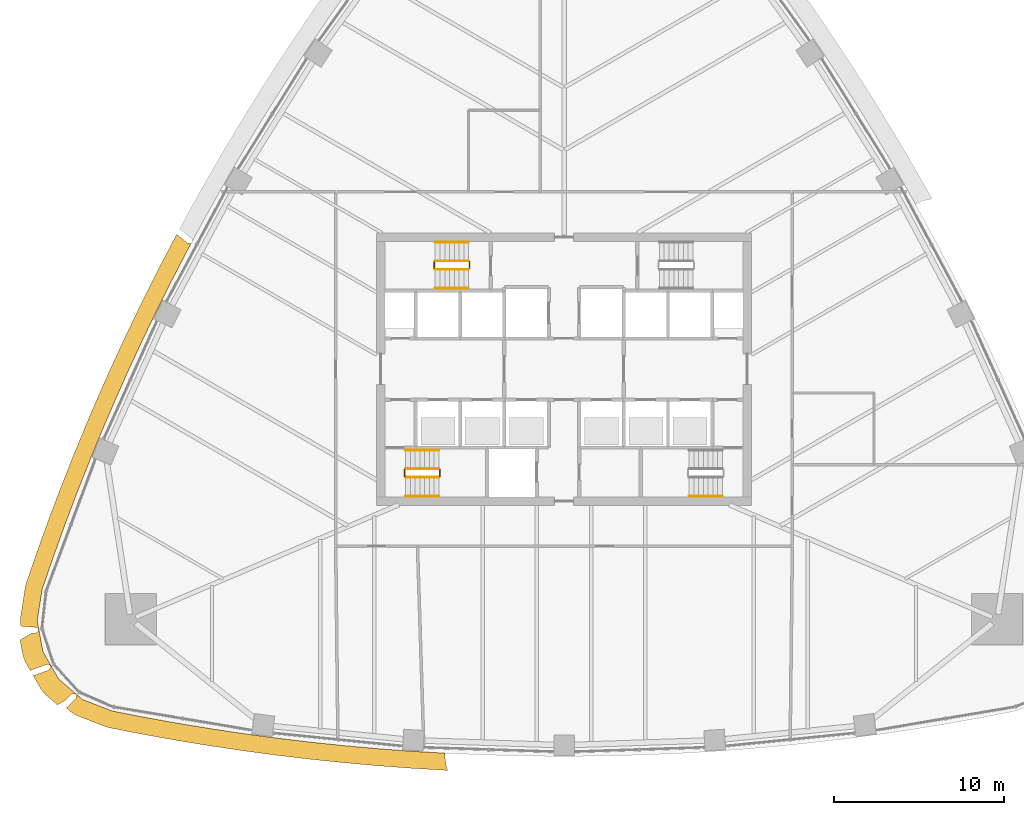
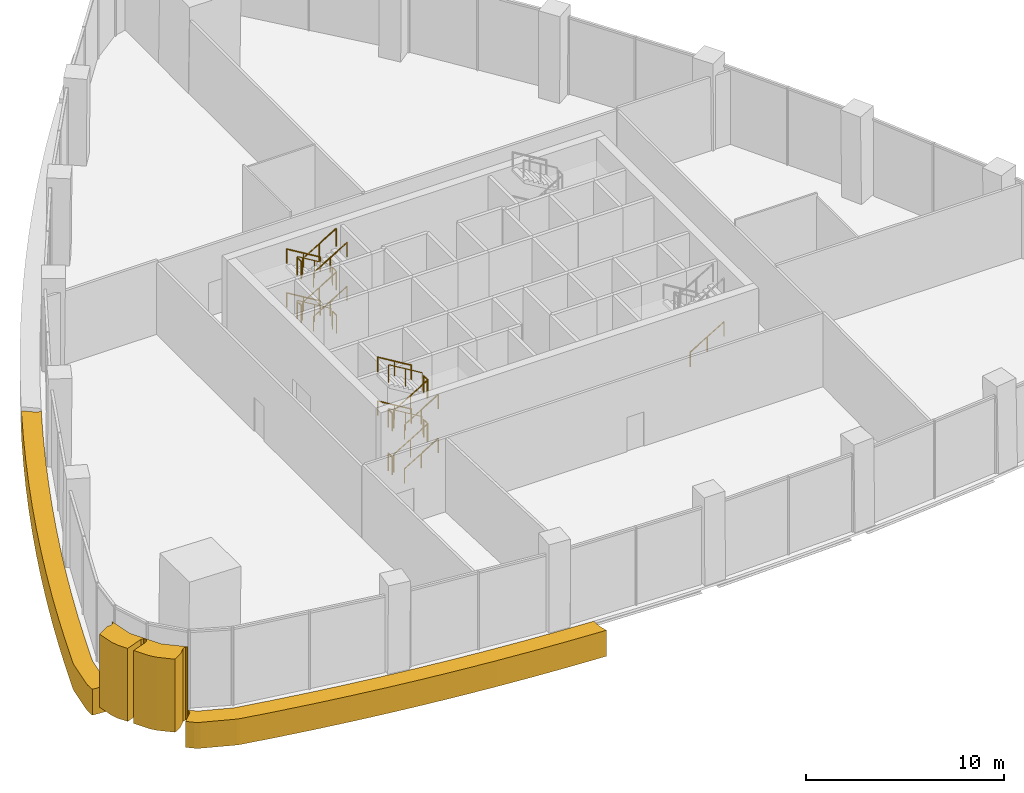
# One storey, part 13 of 16: 25 railings, 3 coverings.
"""IFC4 building model written with IfcOpenShell, lengths in metres."""

from ifc_helpers import new_model, si_unit, direction, frame, origin, origin_2d, place, context, subcontext, project, spatial, polyline, circle, outline, extrude, material, layer, layer_set, type_object, element, save


model = new_model("IFC4")

# Units and contexts
model_context = context("Model", 3, precision=1e-05, world=origin(), true_north=direction((0.0, 1.0)))
body_context = subcontext(model_context, "Body", "Model", "MODEL_VIEW")
ifc_project = project(units=[si_unit("LENGTHUNIT", "METRE"), si_unit("AREAUNIT", "SQUARE_METRE"), si_unit("VOLUMEUNIT", "CUBIC_METRE"), si_unit("PLANEANGLEUNIT", "RADIAN"), si_unit("MASSUNIT", "GRAM", prefix="KILO")], contexts=[model_context])

# Site, building, storey
site_placement = place(None, origin())
site = spatial("IfcSite", under=ifc_project, at=site_placement, CompositionType="ELEMENT")
building_placement = place(site_placement, origin())
building = spatial("IfcBuilding", under=site, at=building_placement, Name="Sierra Prisma Convention Tower", CompositionType="ELEMENT")
storey_placement = place(building_placement, frame((0.0, 0.0, 107.199951171875)))
storey = spatial("IfcBuildingStorey", under=building, at=storey_placement, Name="L23", CompositionType="ELEMENT", Elevation=107.199951171875)

# Coverings
ifc_material_1 = material(Name="Aluminium composite bronze anodised", Category="aluminium")
ifc_layer_1 = layer(ifc_material_1, 1.199951171875)
ifc_layer_set_1 = layer_set([ifc_layer_1], Name="Bronze corner pier")
covering_type_1 = type_object("IfcCoveringType", Name="Bronze corner pier", PredefinedType="CLADDING", material=ifc_layer_set_1)
covering_1_placement = place(storey_placement, frame((0.0, 0.0, -0.599853515625)))
element("IfcCovering", 1, at=covering_1_placement, inside=storey, type_object=covering_type_1, Name="Corner pier SW L23.1", PredefinedType="CLADDING", context=body_context, shape_type="SweptSolid", body=[
    extrude(outline(polyline([(-28.62744140625, -19.068359375), (-28.668212890625, -19.092041015625), (-28.716552734375, -19.05078125), (-28.72021484375, -19.047607421875), (-28.724365234375, -19.045166015625), (-28.728759765625, -19.04296875), (-28.7333984375, -19.041259765625), (-28.738037109375, -19.039794921875), (-28.742919921875, -19.0390625), (-28.74755859375, -19.038818359375), (-28.75244140625, -19.038818359375), (-28.75732421875, -19.039306640625), (-28.761962890625, -19.040283203125), (-28.8896484375, -19.07470703125), (-28.89453125, -19.076416015625), (-28.899169921875, -19.078369140625), (-28.903564453125, -19.080810546875), (-28.90771484375, -19.083984375), (-28.91162109375, -19.08740234375), (-29.272216796875, -19.440673828125), (-29.729248046875, -19.70458984375), (-30.434814453125, -19.10009765625), (-30.693359375, -18.788818359375), (-31.153076171875, -17.9921875), (-30.248779296875, -17.6630859375), (-30.24462890625, -17.661376953125), (-30.240478515625, -17.6591796875), (-30.236572265625, -17.65673828125), (-30.23291015625, -17.65380859375), (-30.229736328125, -17.650634765625), (-30.2265625, -17.64697265625), (-30.223876953125, -17.643310546875), (-30.1376953125, -17.509033203125), (-30.13525390625, -17.5048828125), (-30.13330078125, -17.500244140625), (-30.131591796875, -17.49560546875), (-30.130615234375, -17.49072265625), (-30.1298828125, -17.485595703125), (-30.1298828125, -17.480712890625), (-30.130126953125, -17.475830078125), (-30.131103515625, -17.470947265625), (-30.132568359375, -17.466064453125), (-30.13427734375, -17.46142578125), (-30.136474609375, -17.45703125), (-30.1865234375, -17.37060546875), (-30.189453125, -17.3662109375), (-30.192626953125, -17.362060546875), (-30.1962890625, -17.3583984375), (-30.2001953125, -17.355224609375), (-30.20458984375, -17.352294921875), (-30.209228515625, -17.349853515625), (-30.214111328125, -17.34814453125), (-30.218994140625, -17.3466796875), (-30.22412109375, -17.345703125), (-30.345703125, -17.33154296875), (-30.350341796875, -17.331298828125), (-30.35498046875, -17.331298828125), (-30.359619140625, -17.33203125), (-30.3642578125, -17.3330078125), (-30.36865234375, -17.334228515625), (-31.330810546875, -17.6845703125), (-31.6181640625, -17.186767578125), (-31.758544921875, -16.80712890625), (-31.92919921875, -15.89404296875), (-31.223876953125, -15.48681640625), (-31.04638671875, -15.50048828125), (-31.04150390625, -15.50048828125), (-31.036376953125, -15.500244140625), (-31.031494140625, -15.49951171875), (-31.02685546875, -15.498046875), (-31.022216796875, -15.49609375), (-31.017578125, -15.493896484375), (-31.013427734375, -15.4912109375), (-30.876708984375, -15.393798828125), (-30.873046875, -15.390869140625), (-30.86962890625, -15.3876953125), (-30.866455078125, -15.384033203125), (-30.86376953125, -15.380126953125), (-30.861328125, -15.376220703125), (-30.859375, -15.371826171875), (-30.85791015625, -15.3671875), (-30.856689453125, -15.36279296875), (-30.85595703125, -15.35791015625), (-30.855712890625, -15.353271484375), (-30.85595703125, -15.3486328125), (-30.856689453125, -15.343994140625), (-30.868408203125, -15.281494140625), (-30.827392578125, -15.2578125), (-30.5791015625, -16.586669921875), (-29.654052734375, -18.188720703125), (-28.62744140625, -19.068359375)])), origin(), (0.0, 0.0, 1.0), 4.5),
])
ifc_material_2 = material(Name="Aluminium composite bronze anodised", Category="aluminium")
ifc_layer_2 = layer(ifc_material_2, 1.0)
ifc_layer_set_2 = layer_set([ifc_layer_2], Name="Bronze spandrel band")
covering_type_2 = type_object("IfcCoveringType", Name="Bronze spandrel band", PredefinedType="CLADDING", material=ifc_layer_set_2)
covering_2_placement = place(storey_placement, frame((0.0, 0.0, -1.599853515625)))
element("IfcCovering", 2, at=covering_2_placement, inside=storey, type_object=covering_type_2, Name="Spandrel band L23.1", PredefinedType="CLADDING", context=body_context, shape_type="SweptSolid", body=[
    extrude(outline(polyline([(-31.00439453125, -15.155029296875), (-31.00927734375, -15.1533203125), (-31.01416015625, -15.152099609375), (-31.019287109375, -15.151611328125), (-31.876953125, -15.085205078125), (-31.90185546875, -14.951904296875), (-31.906982421875, -14.61474609375), (-31.623046875, -12.786865234375), (-31.580810546875, -12.615478515625), (-30.93798828125, -10.744873046875), (-30.93310546875, -10.730712890625), (-30.2626953125, -8.869873046875), (-30.257568359375, -8.85595703125), (-29.559814453125, -7.00537109375), (-29.554443359375, -6.991455078125), (-28.829345703125, -5.1513671875), (-28.82373046875, -5.1376953125), (-28.0712890625, -3.308349609375), (-28.065673828125, -3.294677734375), (-27.286376953125, -1.476806640625), (-27.280517578125, -1.46337890625), (-26.47412109375, 0.343017578125), (-26.468017578125, 0.356201171875), (-25.635009765625, 2.150390625), (-25.628662109375, 2.163818359375), (-24.769287109375, 3.945068359375), (-24.7626953125, 3.95849609375), (-23.876953125, 5.726806640625), (-23.870361328125, 5.739990234375), (-22.95849609375, 7.495361328125), (-22.951416015625, 7.50830078125), (-22.73583984375, 7.9091796875), (-22.095458984375, 7.4033203125), (-22.091552734375, 7.400634765625), (-22.087646484375, 7.398193359375), (-22.08349609375, 7.396240234375), (-22.0791015625, 7.394775390625), (-22.074462890625, 7.3935546875), (-22.06982421875, 7.392822265625), (-22.065185546875, 7.392578125), (-21.906005859375, 7.3896484375), (-21.90087890625, 7.389892578125), (-21.89599609375, 7.390380859375), (-21.89111328125, 7.3916015625), (-21.886474609375, 7.393310546875), (-21.8818359375, 7.3955078125), (-21.877685546875, 7.39794921875), (-21.873779296875, 7.400634765625), (-22.071044921875, 7.0341796875), (-22.98291015625, 5.279052734375), (-23.590576171875, 4.06591796875), (-23.59228515625, 4.064453125), (-23.595703125, 4.06103515625), (-23.598876953125, 4.057373046875), (-23.6015625, 4.05322265625), (-23.60400390625, 4.049072265625), (-24.13330078125, 2.97216796875), (-24.13525390625, 2.9677734375), (-24.13671875, 2.962890625), (-24.1376953125, 2.958251953125), (-24.138427734375, 2.953369140625), (-24.138427734375, 2.951416015625), (-24.72802734375, 1.729248046875), (-25.56103515625, -0.064697265625), (-26.3671875, -1.870849609375), (-27.146484375, -3.688720703125), (-27.287353515625, -4.031005859375), (-27.28759765625, -4.03125), (-27.290771484375, -4.034912109375), (-27.29345703125, -4.03857421875), (-27.2958984375, -4.042724609375), (-27.2978515625, -4.047119140625), (-27.75439453125, -5.15673828125), (-27.756103515625, -5.16162109375), (-27.757080078125, -5.166259765625), (-27.7578125, -5.171142578125), (-27.758056640625, -5.175537109375), (-27.89892578125, -5.51806640625), (-28.6240234375, -7.358154296875), (-29.322021484375, -9.208740234375), (-29.9921875, -11.069580078125), (-30.635009765625, -12.940185546875), (-30.918701171875, -14.768310546875), (-30.829345703125, -15.247314453125), (-30.8701171875, -15.27099609375), (-30.875, -15.24560546875), (-30.876220703125, -15.24072265625), (-30.877685546875, -15.236083984375), (-30.8798828125, -15.231689453125), (-30.88232421875, -15.227294921875), (-30.88525390625, -15.223388671875), (-30.888427734375, -15.219482421875), (-30.89208984375, -15.21630859375), (-30.896240234375, -15.21337890625), (-30.900390625, -15.210693359375), (-30.99951171875, -15.1572265625), (-31.00439453125, -15.155029296875)])), origin(), (0.0, 0.0, 1.0), 1.599853515625),
])
covering_3_placement = place(storey_placement, frame((0.0, 0.0, -1.599853515625)))
element("IfcCovering", 3, at=covering_3_placement, inside=storey, type_object=covering_type_2, Name="Spandrel band L23.2", PredefinedType="CLADDING", context=body_context, shape_type="SweptSolid", body=[
    extrude(outline(polyline([(-17.15380859375, -21.6171875), (-17.149169921875, -21.61767578125), (-17.144287109375, -21.61767578125), (-17.1396484375, -21.6171875), (-17.135009765625, -21.6162109375), (-17.134765625, -21.615966796875), (-16.767822265625, -21.665283203125), (-14.8037109375, -21.899169921875), (-12.836669921875, -22.10400390625), (-10.866455078125, -22.27978515625), (-9.51318359375, -22.380126953125), (-9.511474609375, -22.381103515625), (-9.507080078125, -22.383056640625), (-9.50244140625, -22.384521484375), (-9.49755859375, -22.385498046875), (-9.49267578125, -22.38623046875), (-8.89453125, -22.426025390625), (-8.89404296875, -22.42626953125), (-8.8935546875, -22.42626953125), (-8.29541015625, -22.466064453125), (-8.29052734375, -22.46630859375), (-8.28564453125, -22.4658203125), (-8.281005859375, -22.465087890625), (-8.2763671875, -22.463623046875), (-8.2744140625, -22.462890625), (-6.975830078125, -22.5400390625), (-6.978271484375, -22.608154296875), (-6.97412109375, -22.85595703125), (-6.94580078125, -23.102294921875), (-6.8935546875, -23.344482421875), (-6.827880859375, -23.54833984375), (-6.964111328125, -23.54248046875), (-6.97900390625, -23.54150390625), (-8.953369140625, -23.42431640625), (-8.968017578125, -23.42333984375), (-10.9404296875, -23.277099609375), (-10.955322265625, -23.27587890625), (-12.92529296875, -23.10009765625), (-12.940185546875, -23.0986328125), (-14.907470703125, -22.893798828125), (-14.922119140625, -22.89208984375), (-16.885986328125, -22.658203125), (-16.90087890625, -22.656494140625), (-18.861083984375, -22.393310546875), (-18.875732421875, -22.391357421875), (-20.83203125, -22.09912109375), (-20.8466796875, -22.096923828125), (-22.79833984375, -21.77587890625), (-22.81298828125, -21.7734375), (-24.759765625, -21.42333984375), (-24.774169921875, -21.420654296875), (-26.715576171875, -21.0419921875), (-26.88525390625, -20.992919921875), (-28.6103515625, -20.324951171875), (-28.899658203125, -20.15185546875), (-29.21875, -19.87841796875), (-28.66650390625, -19.33740234375), (-28.6630859375, -19.33349609375), (-28.66015625, -19.32958984375), (-28.65771484375, -19.3251953125), (-28.655517578125, -19.32080078125), (-28.65380859375, -19.31591796875), (-28.652587890625, -19.31103515625), (-28.6240234375, -19.1630859375), (-28.623291015625, -19.158447265625), (-28.623046875, -19.15380859375), (-28.623291015625, -19.14892578125), (-28.6240234375, -19.14404296875), (-28.625, -19.139404296875), (-28.626708984375, -19.135009765625), (-28.628662109375, -19.130615234375), (-28.631103515625, -19.12646484375), (-28.6337890625, -19.12255859375), (-28.63720703125, -19.118896484375), (-28.640380859375, -19.11572265625), (-28.66015625, -19.098876953125), (-28.619384765625, -19.0751953125), (-28.2490234375, -19.392333984375), (-26.524169921875, -20.060546875), (-24.582763671875, -20.439208984375), (-22.635986328125, -20.7890625), (-20.684326171875, -21.110107421875), (-18.728271484375, -21.402099609375), (-18.361328125, -21.451416015625), (-18.357421875, -21.45361328125), (-18.352783203125, -21.455322265625), (-18.347900390625, -21.456787109375), (-18.34326171875, -21.45751953125), (-17.15380859375, -21.6171875)])), origin(), (0.0, 0.0, 1.0), 1.599853515625),
])

# Railings
ifc_material_3 = material(Name="Stainless steel", Category="steel")
railing_type_1 = type_object("IfcRailingType", Name="Exit stair handrail", PredefinedType="HANDRAIL", material=ifc_material_3)
railing_1_placement = place(storey_placement, frame((-9.300048828125, -7.449951171875, 0.168701171875)))
element("IfcRailing", 4, at=railing_1_placement, inside=storey, type_object=railing_type_1, Name="L23 S1 stair handrail 1", PredefinedType="HANDRAIL", context=body_context, shape_type="SweptSolid", body=[
    extrude(circle(Radius=0.02392578125, at=origin_2d()), frame((0.0, 0.0, 0.8759765625), z_axis=(0.856446297458, 0.0, 0.516236127728), x_axis=(0.0, 1.0, 0.0)), (0.0, 0.0, 1.0), 2.28857421875),
    extrude(circle(Radius=0.02099609375, at=origin_2d()), origin(), (0.0, 0.0, 1.0), 0.851806640625),
    extrude(circle(Radius=0.02099609375, at=origin_2d()), frame((0.97998046875, 0.0, 0.5908203125)), (0.0, 0.0, 1.0), 0.851806640625),
    extrude(circle(Radius=0.02099609375, at=origin_2d()), frame((1.9599609375, 0.0, 1.181396484375)), (0.0, 0.0, 1.0), 0.851806640625),
])
railing_2_placement = place(storey_placement, frame((-7.340087890625, -4.75, 1.518798828125)))
element("IfcRailing", 5, at=railing_2_placement, inside=storey, type_object=railing_type_1, Name="L23 S1 stair handrail 2", PredefinedType="HANDRAIL", context=body_context, shape_type="SweptSolid", body=[
    extrude(circle(Radius=0.02392578125, at=origin_2d()), frame((0.0, 0.0, 0.8759765625), z_axis=(-0.856493463811, 0.0, 0.516157869696), x_axis=(0.0, -1.0, 0.0)), (0.0, 0.0, 1.0), 2.288330078125),
    extrude(circle(Radius=0.02099609375, at=origin_2d()), origin(), (0.0, 0.0, 1.0), 0.851806640625),
    extrude(circle(Radius=0.02099609375, at=origin_2d()), frame((-0.97998046875, 0.0, 0.590576171875)), (0.0, 0.0, 1.0), 0.851806640625),
    extrude(circle(Radius=0.02099609375, at=origin_2d()), frame((-1.9599609375, 0.0, 1.18115234375)), (0.0, 0.0, 1.0), 0.851806640625),
])
railing_3_placement = place(storey_placement, frame((-9.300048828125, -7.449951171875, 2.868896484375)))
element("IfcRailing", 6, at=railing_3_placement, inside=storey, type_object=railing_type_1, Name="L23 S1 stair handrail 3", PredefinedType="HANDRAIL", context=body_context, shape_type="SweptSolid", body=[
    extrude(circle(Radius=0.02392578125, at=origin_2d()), frame((0.0, 0.0, 0.8759765625), z_axis=(0.856493463811, 0.0, 0.516157869696), x_axis=(0.0, 1.0, 0.0)), (0.0, 0.0, 1.0), 2.288330078125),
    extrude(circle(Radius=0.02099609375, at=origin_2d()), origin(), (0.0, 0.0, 1.0), 0.851806640625),
    extrude(circle(Radius=0.02099609375, at=origin_2d()), frame((0.97998046875, 0.0, 0.590576171875)), (0.0, 0.0, 1.0), 0.851806640625),
    extrude(circle(Radius=0.02099609375, at=origin_2d()), frame((1.9599609375, 0.0, 1.18115234375)), (0.0, 0.0, 1.0), 0.851806640625),
])
railing_4_placement = place(storey_placement, frame((-7.340087890625, -4.75, 4.21875)))
element("IfcRailing", 7, at=railing_4_placement, inside=storey, type_object=railing_type_1, Name="L23 S1 stair handrail 4", PredefinedType="HANDRAIL", context=body_context, shape_type="SweptSolid", body=[
    extrude(circle(Radius=0.02392578125, at=origin_2d()), frame((0.0, 0.0, 0.8759765625), z_axis=(-0.856446297458, 0.0, 0.516236127728), x_axis=(0.0, -1.0, 0.0)), (0.0, 0.0, 1.0), 2.28857421875),
    extrude(circle(Radius=0.02099609375, at=origin_2d()), origin(), (0.0, 0.0, 1.0), 0.851806640625),
    extrude(circle(Radius=0.02099609375, at=origin_2d()), frame((-0.97998046875, 0.0, 0.5908203125)), (0.0, 0.0, 1.0), 0.851806640625),
    extrude(circle(Radius=0.02099609375, at=origin_2d()), frame((-1.9599609375, 0.0, 1.181396484375)), (0.0, 0.0, 1.0), 0.851806640625),
])
railing_5_placement = place(storey_placement, frame((7.340087890625, -7.449951171875, 1.518798828125)))
element("IfcRailing", 8, at=railing_5_placement, inside=storey, type_object=railing_type_1, Name="L23 S2 stair handrail 2", PredefinedType="HANDRAIL", context=body_context, shape_type="SweptSolid", body=[
    extrude(circle(Radius=0.02392578125, at=origin_2d()), frame((0.0, 0.0, 0.8759765625), z_axis=(0.856493463811, 0.0, 0.516157869696), x_axis=(0.0, 1.0, 0.0)), (0.0, 0.0, 1.0), 2.288330078125),
    extrude(circle(Radius=0.02099609375, at=origin_2d()), origin(), (0.0, 0.0, 1.0), 0.851806640625),
    extrude(circle(Radius=0.02099609375, at=origin_2d()), frame((0.97998046875, 0.0, 0.590576171875)), (0.0, 0.0, 1.0), 0.851806640625),
    extrude(circle(Radius=0.02099609375, at=origin_2d()), frame((1.9599609375, 0.0, 1.18115234375)), (0.0, 0.0, 1.0), 0.851806640625),
])
railing_6_placement = place(storey_placement, frame((-5.60009765625, 7.449951171875, 0.168701171875)))
element("IfcRailing", 9, at=railing_6_placement, inside=storey, type_object=railing_type_1, Name="L23 S3 stair handrail 1", PredefinedType="HANDRAIL", context=body_context, shape_type="SweptSolid", body=[
    extrude(circle(Radius=0.02392578125, at=origin_2d()), frame((0.0, 0.0, 0.8759765625), z_axis=(-0.856446297458, 0.0, 0.516236127728), x_axis=(0.0, -1.0, 0.0)), (0.0, 0.0, 1.0), 2.28857421875),
    extrude(circle(Radius=0.02099609375, at=origin_2d()), origin(), (0.0, 0.0, 1.0), 0.851806640625),
    extrude(circle(Radius=0.02099609375, at=origin_2d()), frame((-0.97998046875, 0.0, 0.5908203125)), (0.0, 0.0, 1.0), 0.851806640625),
    extrude(circle(Radius=0.02099609375, at=origin_2d()), frame((-1.9599609375, 0.0, 1.181396484375)), (0.0, 0.0, 1.0), 0.851806640625),
])
railing_7_placement = place(storey_placement, frame((-7.56005859375, 4.75, 1.518798828125)))
element("IfcRailing", 10, at=railing_7_placement, inside=storey, type_object=railing_type_1, Name="L23 S3 stair handrail 2", PredefinedType="HANDRAIL", context=body_context, shape_type="SweptSolid", body=[
    extrude(circle(Radius=0.02392578125, at=origin_2d()), frame((0.0, 0.0, 0.8759765625), z_axis=(0.856493463811, 0.0, 0.516157869696), x_axis=(0.0, 1.0, 0.0)), (0.0, 0.0, 1.0), 2.288330078125),
    extrude(circle(Radius=0.02099609375, at=origin_2d()), origin(), (0.0, 0.0, 1.0), 0.851806640625),
    extrude(circle(Radius=0.02099609375, at=origin_2d()), frame((0.97998046875, 0.0, 0.590576171875)), (0.0, 0.0, 1.0), 0.851806640625),
    extrude(circle(Radius=0.02099609375, at=origin_2d()), frame((1.9599609375, 0.0, 1.18115234375)), (0.0, 0.0, 1.0), 0.851806640625),
])
railing_8_placement = place(storey_placement, frame((-5.60009765625, 7.449951171875, 2.868896484375)))
element("IfcRailing", 11, at=railing_8_placement, inside=storey, type_object=railing_type_1, Name="L23 S3 stair handrail 3", PredefinedType="HANDRAIL", context=body_context, shape_type="SweptSolid", body=[
    extrude(circle(Radius=0.02392578125, at=origin_2d()), frame((0.0, 0.0, 0.8759765625), z_axis=(-0.856493463811, 0.0, 0.516157869696), x_axis=(0.0, -1.0, 0.0)), (0.0, 0.0, 1.0), 2.288330078125),
    extrude(circle(Radius=0.02099609375, at=origin_2d()), origin(), (0.0, 0.0, 1.0), 0.851806640625),
    extrude(circle(Radius=0.02099609375, at=origin_2d()), frame((-0.97998046875, 0.0, 0.590576171875)), (0.0, 0.0, 1.0), 0.851806640625),
    extrude(circle(Radius=0.02099609375, at=origin_2d()), frame((-1.9599609375, 0.0, 1.18115234375)), (0.0, 0.0, 1.0), 0.851806640625),
])
railing_9_placement = place(storey_placement, frame((-7.56005859375, 4.75, 4.21875)))
element("IfcRailing", 12, at=railing_9_placement, inside=storey, type_object=railing_type_1, Name="L23 S3 stair handrail 4", PredefinedType="HANDRAIL", context=body_context, shape_type="SweptSolid", body=[
    extrude(circle(Radius=0.02392578125, at=origin_2d()), frame((0.0, 0.0, 0.8759765625), z_axis=(0.856446297458, 0.0, 0.516236127728), x_axis=(0.0, 1.0, 0.0)), (0.0, 0.0, 1.0), 2.28857421875),
    extrude(circle(Radius=0.02099609375, at=origin_2d()), origin(), (0.0, 0.0, 1.0), 0.851806640625),
    extrude(circle(Radius=0.02099609375, at=origin_2d()), frame((0.97998046875, 0.0, 0.5908203125)), (0.0, 0.0, 1.0), 0.851806640625),
    extrude(circle(Radius=0.02099609375, at=origin_2d()), frame((1.9599609375, 0.0, 1.181396484375)), (0.0, 0.0, 1.0), 0.851806640625),
])
ifc_material_4 = material(Name="Stainless steel", Category="steel")
railing_type_2 = type_object("IfcRailingType", Name="Stair guard 1100", PredefinedType="GUARDRAIL", material=ifc_material_4)
railing_10_placement = place(storey_placement, frame((-9.300048828125, -6.35009765625, 0.168701171875)))
element("IfcRailing", 13, at=railing_10_placement, inside=storey, type_object=railing_type_2, Name="L23 S1 stair guard 1", PredefinedType="GUARDRAIL", context=body_context, shape_type="SweptSolid", body=[
    extrude(circle(Radius=0.02392578125, at=origin_2d()), frame((0.0, 0.0, 1.076171875), z_axis=(0.856446297458, 0.0, 0.516236127728), x_axis=(0.0, 1.0, 0.0)), (0.0, 0.0, 1.0), 2.28857421875),
    extrude(circle(Radius=0.02099609375, at=origin_2d()), origin(), (0.0, 0.0, 1.0), 1.052001953125),
    extrude(circle(Radius=0.02099609375, at=origin_2d()), frame((0.97998046875, 0.0, 0.5908203125)), (0.0, 0.0, 1.0), 1.052001953125),
    extrude(circle(Radius=0.02099609375, at=origin_2d()), frame((1.9599609375, 0.0, 1.181396484375)), (0.0, 0.0, 1.0), 1.052001953125),
])
railing_11_placement = place(storey_placement, frame((-7.2900390625, -6.300048828125, 1.35009765625)))
element("IfcRailing", 14, at=railing_11_placement, inside=storey, type_object=railing_type_2, Name="L23 S1 stair guard 2", PredefinedType="GUARDRAIL", context=body_context, shape_type="SweptSolid", body=[
    extrude(circle(Radius=0.02392578125, at=origin_2d()), frame((0.0, 0.0, 1.076171875), z_axis=(0.0, 1.0, 0.0), x_axis=(-1.0, 0.0, 0.0)), (0.0, 0.0, 1.0), 0.400146484375),
    extrude(circle(Radius=0.02099609375, at=origin_2d()), origin(), (0.0, 0.0, 1.0), 1.052001953125),
    extrude(circle(Radius=0.02099609375, at=origin_2d()), frame((0.0, 0.400146484375, 0.0)), (0.0, 0.0, 1.0), 1.052001953125),
])
railing_12_placement = place(storey_placement, frame((-7.340087890625, -5.85009765625, 1.518798828125)))
element("IfcRailing", 15, at=railing_12_placement, inside=storey, type_object=railing_type_2, Name="L23 S1 stair guard 3", PredefinedType="GUARDRAIL", context=body_context, shape_type="SweptSolid", body=[
    extrude(circle(Radius=0.02392578125, at=origin_2d()), frame((0.0, 0.0, 1.076171875), z_axis=(-0.856493463811, 0.0, 0.516157869696), x_axis=(0.0, -1.0, 0.0)), (0.0, 0.0, 1.0), 2.288330078125),
    extrude(circle(Radius=0.02099609375, at=origin_2d()), origin(), (0.0, 0.0, 1.0), 1.052001953125),
    extrude(circle(Radius=0.02099609375, at=origin_2d()), frame((-0.97998046875, 0.0, 0.590576171875)), (0.0, 0.0, 1.0), 1.052001953125),
    extrude(circle(Radius=0.02099609375, at=origin_2d()), frame((-1.9599609375, 0.0, 1.18115234375)), (0.0, 0.0, 1.0), 1.052001953125),
])
railing_13_placement = place(storey_placement, frame((-9.35009765625, -6.300048828125, 2.699951171875)))
element("IfcRailing", 16, at=railing_13_placement, inside=storey, type_object=railing_type_2, Name="L23 S1 stair guard 4", PredefinedType="GUARDRAIL", context=body_context, shape_type="SweptSolid", body=[
    extrude(circle(Radius=0.02392578125, at=origin_2d()), frame((0.0, 0.0, 1.076171875), z_axis=(0.0, 1.0, 0.0), x_axis=(-1.0, 0.0, 0.0)), (0.0, 0.0, 1.0), 0.400146484375),
    extrude(circle(Radius=0.02099609375, at=origin_2d()), origin(), (0.0, 0.0, 1.0), 1.052001953125),
    extrude(circle(Radius=0.02099609375, at=origin_2d()), frame((0.0, 0.400146484375, 0.0)), (0.0, 0.0, 1.0), 1.052001953125),
])
railing_14_placement = place(storey_placement, frame((-9.300048828125, -6.35009765625, 2.868896484375)))
element("IfcRailing", 17, at=railing_14_placement, inside=storey, type_object=railing_type_2, Name="L23 S1 stair guard 5", PredefinedType="GUARDRAIL", context=body_context, shape_type="SweptSolid", body=[
    extrude(circle(Radius=0.02392578125, at=origin_2d()), frame((0.0, 0.0, 1.076171875), z_axis=(0.856493463811, 0.0, 0.516157869696), x_axis=(0.0, 1.0, 0.0)), (0.0, 0.0, 1.0), 2.288330078125),
    extrude(circle(Radius=0.02099609375, at=origin_2d()), origin(), (0.0, 0.0, 1.0), 1.052001953125),
    extrude(circle(Radius=0.02099609375, at=origin_2d()), frame((0.97998046875, 0.0, 0.590576171875)), (0.0, 0.0, 1.0), 1.052001953125),
    extrude(circle(Radius=0.02099609375, at=origin_2d()), frame((1.9599609375, 0.0, 1.18115234375)), (0.0, 0.0, 1.0), 1.052001953125),
])
railing_15_placement = place(storey_placement, frame((-7.2900390625, -6.300048828125, 4.050048828125)))
element("IfcRailing", 18, at=railing_15_placement, inside=storey, type_object=railing_type_2, Name="L23 S1 stair guard 6", PredefinedType="GUARDRAIL", context=body_context, shape_type="SweptSolid", body=[
    extrude(circle(Radius=0.02392578125, at=origin_2d()), frame((0.0, 0.0, 1.076171875), z_axis=(0.0, 1.0, 0.0), x_axis=(-1.0, 0.0, 0.0)), (0.0, 0.0, 1.0), 0.400146484375),
    extrude(circle(Radius=0.02099609375, at=origin_2d()), origin(), (0.0, 0.0, 1.0), 1.052001953125),
    extrude(circle(Radius=0.02099609375, at=origin_2d()), frame((0.0, 0.400146484375, 0.0)), (0.0, 0.0, 1.0), 1.052001953125),
])
railing_16_placement = place(storey_placement, frame((-7.340087890625, -5.85009765625, 4.21875)))
element("IfcRailing", 19, at=railing_16_placement, inside=storey, type_object=railing_type_2, Name="L23 S1 stair guard 7", PredefinedType="GUARDRAIL", context=body_context, shape_type="SweptSolid", body=[
    extrude(circle(Radius=0.02392578125, at=origin_2d()), frame((0.0, 0.0, 1.076171875), z_axis=(-0.856446297458, 0.0, 0.516236127728), x_axis=(0.0, -1.0, 0.0)), (0.0, 0.0, 1.0), 2.28857421875),
    extrude(circle(Radius=0.02099609375, at=origin_2d()), origin(), (0.0, 0.0, 1.0), 1.052001953125),
    extrude(circle(Radius=0.02099609375, at=origin_2d()), frame((-0.97998046875, 0.0, 0.5908203125)), (0.0, 0.0, 1.0), 1.052001953125),
    extrude(circle(Radius=0.02099609375, at=origin_2d()), frame((-1.9599609375, 0.0, 1.181396484375)), (0.0, 0.0, 1.0), 1.052001953125),
])
railing_17_placement = place(storey_placement, frame((-9.35009765625, -6.300048828125, 0.0)))
element("IfcRailing", 20, at=railing_17_placement, inside=storey, type_object=railing_type_2, Name="L23 S1 stair guard 8", PredefinedType="GUARDRAIL", context=body_context, shape_type="SweptSolid", body=[
    extrude(circle(Radius=0.02392578125, at=origin_2d()), frame((0.0, 0.0, 1.076171875), z_axis=(0.0, 1.0, 0.0), x_axis=(-1.0, 0.0, 0.0)), (0.0, 0.0, 1.0), 0.400146484375),
    extrude(circle(Radius=0.02099609375, at=origin_2d()), origin(), (0.0, 0.0, 1.0), 1.052001953125),
    extrude(circle(Radius=0.02099609375, at=origin_2d()), frame((0.0, 0.400146484375, 0.0)), (0.0, 0.0, 1.0), 1.052001953125),
])
railing_18_placement = place(storey_placement, frame((-5.60009765625, 6.35009765625, 0.168701171875)))
element("IfcRailing", 21, at=railing_18_placement, inside=storey, type_object=railing_type_2, Name="L23 S3 stair guard 1", PredefinedType="GUARDRAIL", context=body_context, shape_type="SweptSolid", body=[
    extrude(circle(Radius=0.02392578125, at=origin_2d()), frame((0.0, 0.0, 1.076171875), z_axis=(-0.856446297458, 0.0, 0.516236127728), x_axis=(0.0, -1.0, 0.0)), (0.0, 0.0, 1.0), 2.28857421875),
    extrude(circle(Radius=0.02099609375, at=origin_2d()), origin(), (0.0, 0.0, 1.0), 1.052001953125),
    extrude(circle(Radius=0.02099609375, at=origin_2d()), frame((-0.97998046875, 0.0, 0.5908203125)), (0.0, 0.0, 1.0), 1.052001953125),
    extrude(circle(Radius=0.02099609375, at=origin_2d()), frame((-1.9599609375, 0.0, 1.181396484375)), (0.0, 0.0, 1.0), 1.052001953125),
])
railing_19_placement = place(storey_placement, frame((-7.610107421875, 6.300048828125, 1.35009765625)))
element("IfcRailing", 22, at=railing_19_placement, inside=storey, type_object=railing_type_2, Name="L23 S3 stair guard 2", PredefinedType="GUARDRAIL", context=body_context, shape_type="SweptSolid", body=[
    extrude(circle(Radius=0.02392578125, at=origin_2d()), frame((0.0, 0.0, 1.076171875), z_axis=(0.0, -1.0, 0.0), x_axis=(1.0, 0.0, 0.0)), (0.0, 0.0, 1.0), 0.400146484375),
    extrude(circle(Radius=0.02099609375, at=origin_2d()), origin(), (0.0, 0.0, 1.0), 1.052001953125),
    extrude(circle(Radius=0.02099609375, at=origin_2d()), frame((0.0, -0.400146484375, 0.0)), (0.0, 0.0, 1.0), 1.052001953125),
])
railing_20_placement = place(storey_placement, frame((-7.56005859375, 5.85009765625, 1.518798828125)))
element("IfcRailing", 23, at=railing_20_placement, inside=storey, type_object=railing_type_2, Name="L23 S3 stair guard 3", PredefinedType="GUARDRAIL", context=body_context, shape_type="SweptSolid", body=[
    extrude(circle(Radius=0.02392578125, at=origin_2d()), frame((0.0, 0.0, 1.076171875), z_axis=(0.856493463811, 0.0, 0.516157869696), x_axis=(0.0, 1.0, 0.0)), (0.0, 0.0, 1.0), 2.288330078125),
    extrude(circle(Radius=0.02099609375, at=origin_2d()), origin(), (0.0, 0.0, 1.0), 1.052001953125),
    extrude(circle(Radius=0.02099609375, at=origin_2d()), frame((0.97998046875, 0.0, 0.590576171875)), (0.0, 0.0, 1.0), 1.052001953125),
    extrude(circle(Radius=0.02099609375, at=origin_2d()), frame((1.9599609375, 0.0, 1.18115234375)), (0.0, 0.0, 1.0), 1.052001953125),
])
railing_21_placement = place(storey_placement, frame((-5.550048828125, 6.300048828125, 2.699951171875)))
element("IfcRailing", 24, at=railing_21_placement, inside=storey, type_object=railing_type_2, Name="L23 S3 stair guard 4", PredefinedType="GUARDRAIL", context=body_context, shape_type="SweptSolid", body=[
    extrude(circle(Radius=0.02392578125, at=origin_2d()), frame((0.0, 0.0, 1.076171875), z_axis=(0.0, -1.0, 0.0), x_axis=(1.0, 0.0, 0.0)), (0.0, 0.0, 1.0), 0.400146484375),
    extrude(circle(Radius=0.02099609375, at=origin_2d()), origin(), (0.0, 0.0, 1.0), 1.052001953125),
    extrude(circle(Radius=0.02099609375, at=origin_2d()), frame((0.0, -0.400146484375, 0.0)), (0.0, 0.0, 1.0), 1.052001953125),
])
railing_22_placement = place(storey_placement, frame((-5.60009765625, 6.35009765625, 2.868896484375)))
element("IfcRailing", 25, at=railing_22_placement, inside=storey, type_object=railing_type_2, Name="L23 S3 stair guard 5", PredefinedType="GUARDRAIL", context=body_context, shape_type="SweptSolid", body=[
    extrude(circle(Radius=0.02392578125, at=origin_2d()), frame((0.0, 0.0, 1.076171875), z_axis=(-0.856493463811, 0.0, 0.516157869696), x_axis=(0.0, -1.0, 0.0)), (0.0, 0.0, 1.0), 2.288330078125),
    extrude(circle(Radius=0.02099609375, at=origin_2d()), origin(), (0.0, 0.0, 1.0), 1.052001953125),
    extrude(circle(Radius=0.02099609375, at=origin_2d()), frame((-0.97998046875, 0.0, 0.590576171875)), (0.0, 0.0, 1.0), 1.052001953125),
    extrude(circle(Radius=0.02099609375, at=origin_2d()), frame((-1.9599609375, 0.0, 1.18115234375)), (0.0, 0.0, 1.0), 1.052001953125),
])
railing_23_placement = place(storey_placement, frame((-7.610107421875, 6.300048828125, 4.050048828125)))
element("IfcRailing", 26, at=railing_23_placement, inside=storey, type_object=railing_type_2, Name="L23 S3 stair guard 6", PredefinedType="GUARDRAIL", context=body_context, shape_type="SweptSolid", body=[
    extrude(circle(Radius=0.02392578125, at=origin_2d()), frame((0.0, 0.0, 1.076171875), z_axis=(0.0, -1.0, 0.0), x_axis=(1.0, 0.0, 0.0)), (0.0, 0.0, 1.0), 0.400146484375),
    extrude(circle(Radius=0.02099609375, at=origin_2d()), origin(), (0.0, 0.0, 1.0), 1.052001953125),
    extrude(circle(Radius=0.02099609375, at=origin_2d()), frame((0.0, -0.400146484375, 0.0)), (0.0, 0.0, 1.0), 1.052001953125),
])
railing_24_placement = place(storey_placement, frame((-7.56005859375, 5.85009765625, 4.21875)))
element("IfcRailing", 27, at=railing_24_placement, inside=storey, type_object=railing_type_2, Name="L23 S3 stair guard 7", PredefinedType="GUARDRAIL", context=body_context, shape_type="SweptSolid", body=[
    extrude(circle(Radius=0.02392578125, at=origin_2d()), frame((0.0, 0.0, 1.076171875), z_axis=(0.856446297458, 0.0, 0.516236127728), x_axis=(0.0, 1.0, 0.0)), (0.0, 0.0, 1.0), 2.28857421875),
    extrude(circle(Radius=0.02099609375, at=origin_2d()), origin(), (0.0, 0.0, 1.0), 1.052001953125),
    extrude(circle(Radius=0.02099609375, at=origin_2d()), frame((0.97998046875, 0.0, 0.5908203125)), (0.0, 0.0, 1.0), 1.052001953125),
    extrude(circle(Radius=0.02099609375, at=origin_2d()), frame((1.9599609375, 0.0, 1.181396484375)), (0.0, 0.0, 1.0), 1.052001953125),
])
railing_25_placement = place(storey_placement, frame((-5.550048828125, 6.300048828125, 0.0)))
element("IfcRailing", 28, at=railing_25_placement, inside=storey, type_object=railing_type_2, Name="L23 S3 stair guard 8", PredefinedType="GUARDRAIL", context=body_context, shape_type="SweptSolid", body=[
    extrude(circle(Radius=0.02392578125, at=origin_2d()), frame((0.0, 0.0, 1.076171875), z_axis=(0.0, -1.0, 0.0), x_axis=(1.0, 0.0, 0.0)), (0.0, 0.0, 1.0), 0.400146484375),
    extrude(circle(Radius=0.02099609375, at=origin_2d()), origin(), (0.0, 0.0, 1.0), 1.052001953125),
    extrude(circle(Radius=0.02099609375, at=origin_2d()), frame((0.0, -0.400146484375, 0.0)), (0.0, 0.0, 1.0), 1.052001953125),
])

save(model, "model.ifc")
